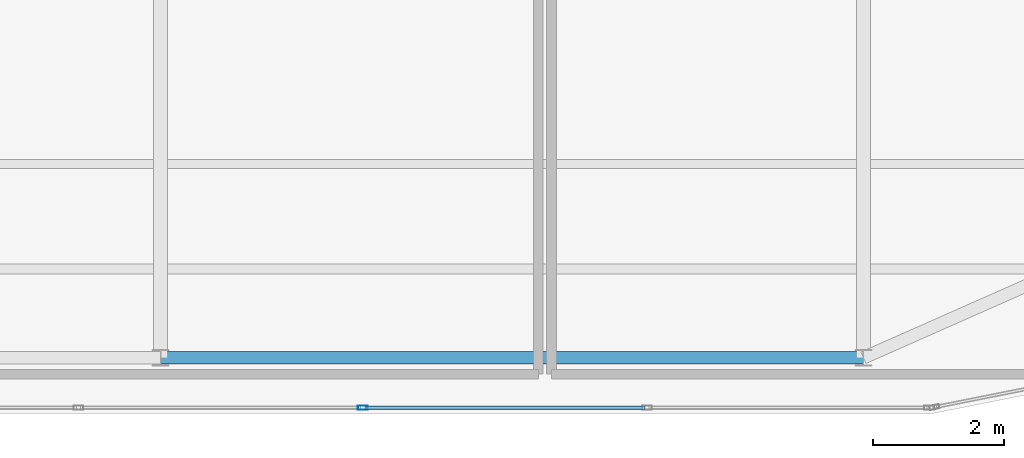
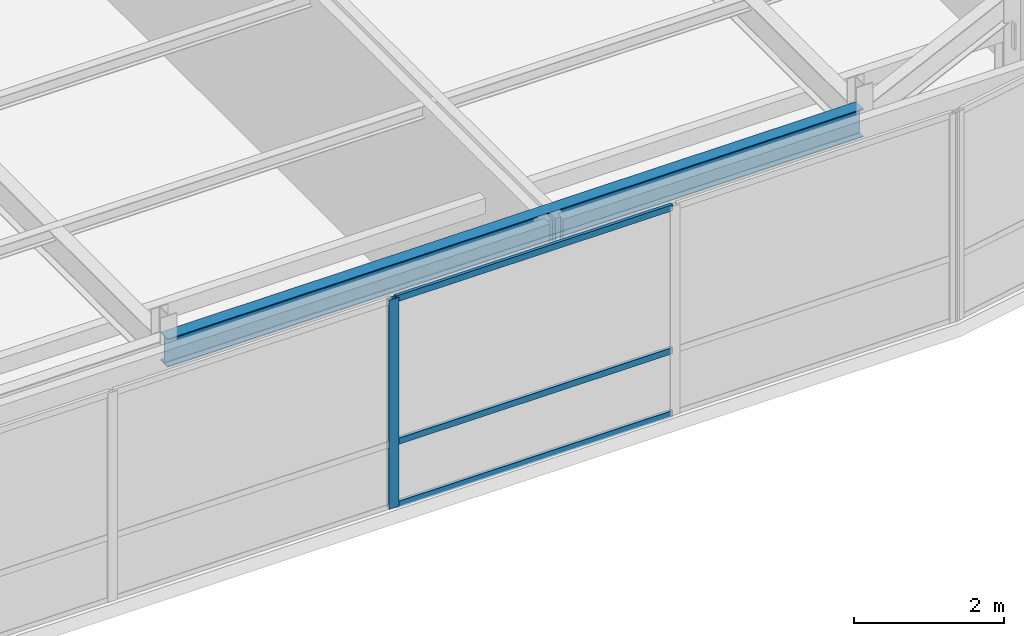
# One storey, part 12 of 35: 4 members, 1 beam, 1 element without a shape of its own.
"""IFC4 building model written with IfcOpenShell, lengths in metres."""

from ifc_helpers import new_model, si_unit, direction, frame, origin, origin_2d, place, context, subcontext, project, spatial, hollow_rectangle, i_section, extrude, source, transform, mapped, material, layer, layer_set, material_profile, profile_set, type_object, type_shapes, element, aggregate, save


model = new_model("IFC4")

# Units and contexts
model_context = context("Model", 3, precision=1e-05, world=origin(), true_north=direction((0.0, 1.0)))
body_context = subcontext(model_context, "Body", "Model", "MODEL_VIEW")
ifc_project = project(units=[si_unit("LENGTHUNIT", "METRE"), si_unit("AREAUNIT", "SQUARE_METRE"), si_unit("VOLUMEUNIT", "CUBIC_METRE"), si_unit("PLANEANGLEUNIT", "RADIAN"), si_unit("MASSUNIT", "GRAM", prefix="KILO")], contexts=[model_context])

# Site, building, storey
site_placement = place(None, origin())
site = spatial("IfcSite", under=ifc_project, at=site_placement, CompositionType="ELEMENT")
building_placement = place(site_placement, origin())
building = spatial("IfcBuilding", under=site, at=building_placement, Name="Tolvann Quenvar Hotel", CompositionType="ELEMENT")
storey_placement = place(building_placement, frame((0.0, 0.0, 309.949951171875)))
storey = spatial("IfcBuildingStorey", under=building, at=storey_placement, Name="L82", CompositionType="ELEMENT", Elevation=309.949951171875)

# Beam
ifc_material_1 = material(Name="Steel Grade 350", Category="steel")
ifc_material_profile_1 = material_profile(ifc_material_1, i_section(OverallWidth=0.19091796875, OverallDepth=0.4599609375, WebThickness=0.010009765625, FlangeThickness=0.01611328125, FilletRadius=0.011474609375, at=origin_2d()), Name="460UB82")
ifc_profile_set_1 = profile_set([ifc_material_profile_1], Name="Steel Grade 350")
beam_type = type_object("IfcBeamType", Name="BM_SPAND_460UB82", PredefinedType="SPANDREL", material=ifc_profile_set_1)
shared_shape_1 = source(origin(), body_context, "Body", "SweptSolid", [
    extrude(i_section(OverallWidth=0.19091796875, OverallDepth=0.4599609375, WebThickness=0.010009765625, FlangeThickness=0.01611328125, FilletRadius=0.011474609375, at=origin_2d()), origin(), (0.0, 0.0, 1.0), 10.699951171875),
])
type_shapes(beam_type, [shared_shape_1])
beam_placement = place(storey_placement, frame((22.050048828125, 7.050048828125, 3.170166015625), z_axis=(1.0, 0.0, 0.0), x_axis=(0.0, 1.0, 0.0)))
element("IfcBeam", 1, at=beam_placement, inside=storey, type_object=beam_type, Name="BM-L82-EW-2-E2-FP2", PredefinedType="SPANDREL", context=body_context, shape_type="MappedRepresentation", body=[
    mapped(shared_shape_1, transform((0.0, 0.0, 0.0), x_axis=(1.0, 0.0, 0.0), y_axis=(0.0, 1.0, 0.0), z_axis=(0.0, 0.0, 1.0), scale=1.0)),
])

# Curtain wall, members
ifc_material_2 = material(Name="Thermally broken anodised architectural aluminium 6063-T6 and laminated low-E glass", Category="aluminium")
ifc_layer = layer(ifc_material_2, 0.179931640625)
ifc_layer_set = layer_set([ifc_layer], Name="Thermally broken anodised architectural aluminium 6063-T6 and laminated low-E glass")
curtain_wall_type = type_object("IfcCurtainWallType", Name="CW_SYS_LANT_06", PredefinedType="USERDEFINED", material=ifc_layer_set)
curtain_wall_placement = place(storey_placement, origin())
curtain_wall = element("IfcCurtainWall", 2, at=curtain_wall_placement, inside=storey, type_object=curtain_wall_type, Name="Curtain Wall CW-LANT-06 (CWR-L82-E04)", ObjectType="UNITISED CURTAIN WALL", PredefinedType="USERDEFINED")
ifc_material_3 = material(Name="Anodised architectural aluminium 6063-T6 framing", Category="aluminium")
ifc_material_profile_2 = material_profile(ifc_material_3, hollow_rectangle(XDim=0.050048828125, YDim=0.10009765625, WallThickness=0.0029296875, at=origin_2d()), Name="100x50x3RHS")
ifc_profile_set_2 = profile_set([ifc_material_profile_2], Name="Anodised architectural aluminium 6063-T6 framing")
member_type_1 = type_object("IfcMemberType", Name="CW_TRAN_100x50", PredefinedType="USERDEFINED", material=ifc_profile_set_2)
shared_shape_2 = source(origin(), body_context, "Body", "SweptSolid", [
    extrude(hollow_rectangle(XDim=0.050048828125, YDim=0.10009765625, WallThickness=0.0029296875, at=origin_2d()), origin(), (0.0, 0.0, 1.0), 4.262451171875),
])
type_shapes(member_type_1, [shared_shape_2])
member_1_placement = place(storey_placement, frame((25.16015625, 6.2900390625, 0.025146484375), z_axis=(1.0, 0.0, 0.0), x_axis=(0.0, 1.0, 0.0)))
member_1 = element("IfcMember", 3, at=member_1_placement, type_object=member_type_1, Name="CW-LANT-06 transom 5.1", ObjectType="TRANSOM", PredefinedType="USERDEFINED", context=body_context, shape_type="MappedRepresentation", body=[
    mapped(shared_shape_2, transform((0.0, 0.0, 0.0), x_axis=(1.0, 0.0, 0.0), y_axis=(0.0, 1.0, 0.0), z_axis=(0.0, 0.0, 1.0), scale=1.0)),
])
member_2_placement = place(storey_placement, frame((25.16015625, 6.2900390625, 1.050048828125), z_axis=(1.0, 0.0, 0.0), x_axis=(0.0, 1.0, 0.0)))
member_2 = element("IfcMember", 4, at=member_2_placement, type_object=member_type_1, Name="CW-LANT-06 transom 5.2", ObjectType="TRANSOM", PredefinedType="USERDEFINED", context=body_context, shape_type="MappedRepresentation", body=[
    mapped(shared_shape_2, transform((0.0, 0.0, 0.0), x_axis=(1.0, 0.0, 0.0), y_axis=(0.0, 1.0, 0.0), z_axis=(0.0, 0.0, 1.0), scale=1.0)),
])
member_3_placement = place(storey_placement, frame((25.16015625, 6.2900390625, 3.375), z_axis=(1.0, 0.0, 0.0), x_axis=(0.0, 1.0, 0.0)))
member_3 = element("IfcMember", 5, at=member_3_placement, type_object=member_type_1, Name="CW-LANT-06 transom 5.3", ObjectType="TRANSOM", PredefinedType="USERDEFINED", context=body_context, shape_type="MappedRepresentation", body=[
    mapped(shared_shape_2, transform((0.0, 0.0, 0.0), x_axis=(1.0, 0.0, 0.0), y_axis=(0.0, 1.0, 0.0), z_axis=(0.0, 0.0, 1.0), scale=1.0)),
])
ifc_material_profile_3 = material_profile(ifc_material_3, hollow_rectangle(XDim=0.06494140625, YDim=0.14990234375, WallThickness=0.00390625, at=origin_2d()), Name="150x65x4RHS")
ifc_profile_set_3 = profile_set([ifc_material_profile_3], Name="Anodised architectural aluminium 6063-T6 framing")
member_type_2 = type_object("IfcMemberType", Name="CW_MULL_150x65", PredefinedType="MULLION", material=ifc_profile_set_3)
shared_shape_3 = source(origin(), body_context, "Body", "SweptSolid", [
    extrude(hollow_rectangle(XDim=0.06494140625, YDim=0.14990234375, WallThickness=0.00390625, at=origin_2d()), origin(), (0.0, 0.0, 1.0), 3.400146484375),
])
type_shapes(member_type_2, [shared_shape_3])
member_4_placement = place(storey_placement, frame((25.127685546875, 6.2900390625, 0.0), z_axis=(0.0, 0.0, 1.0), x_axis=(0.0, 1.0, 0.0)))
member_4 = element("IfcMember", 6, at=member_4_placement, type_object=member_type_2, Name="CW-LANT-06 mullion 5", PredefinedType="MULLION", context=body_context, shape_type="MappedRepresentation", body=[
    mapped(shared_shape_3, transform((0.0, 0.0, 0.0), x_axis=(1.0, 0.0, 0.0), y_axis=(0.0, 1.0, 0.0), z_axis=(0.0, 0.0, 1.0), scale=1.0)),
])
aggregate(curtain_wall, [member_4, member_1, member_2, member_3])

save(model, "model.ifc")
